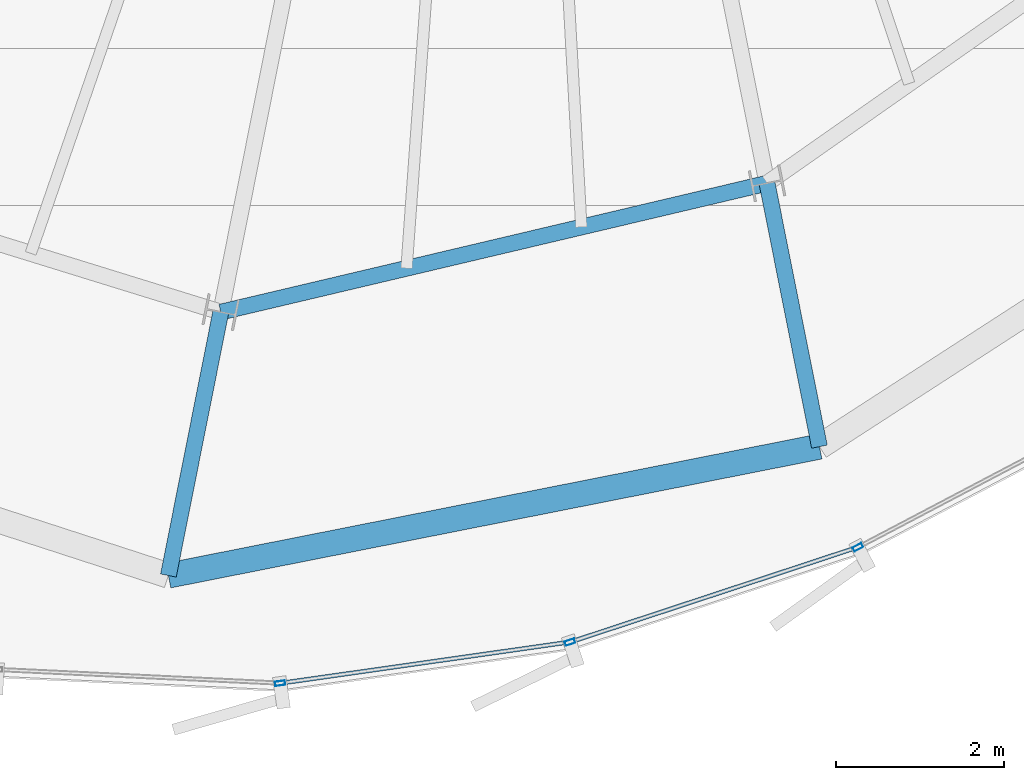
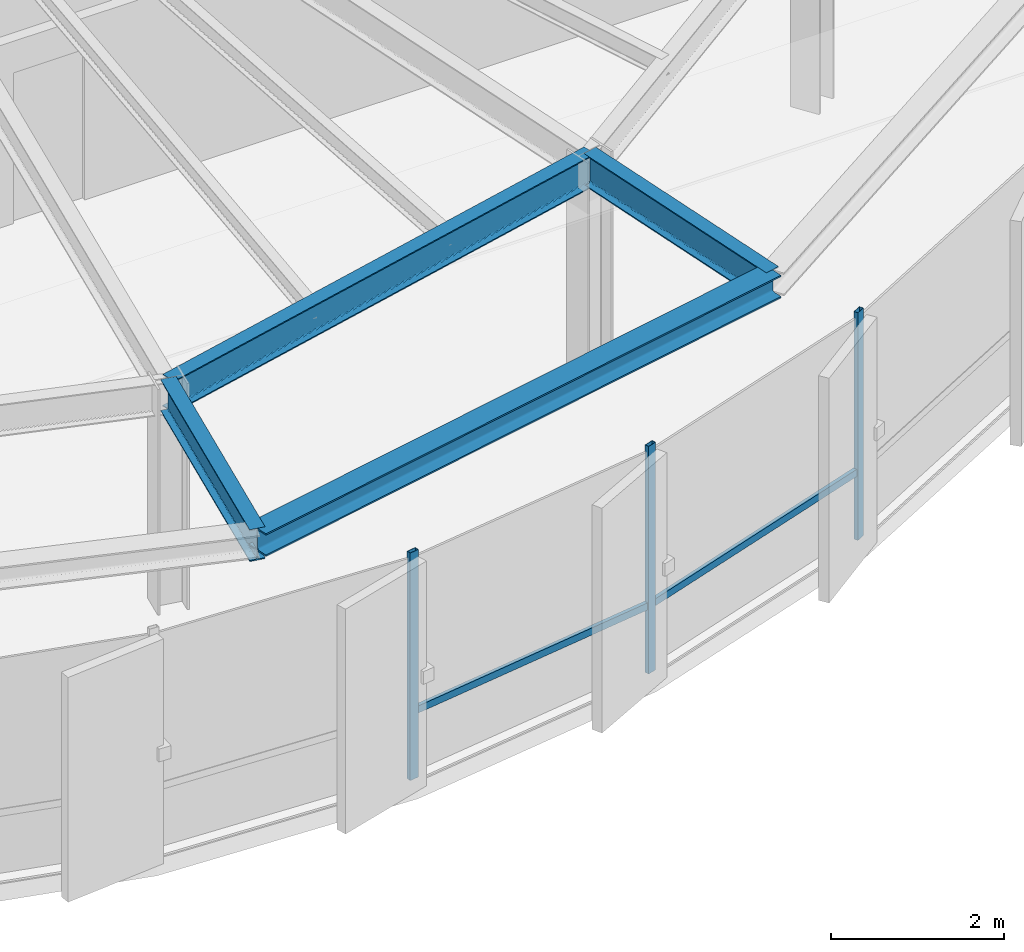
# One storey, part 6 of 33: 5 members, 4 beams, 1 element without a shape of its own.
"""IFC4 building model written with IfcOpenShell, lengths in metres."""

from ifc_helpers import new_model, si_unit, direction, frame, origin, origin_2d, place, context, subcontext, project, spatial, hollow_rectangle, i_section, extrude, source, transform, mapped, material, layer, layer_set, material_profile, profile_set, type_object, element, aggregate, save


model = new_model("IFC4")

# Units and contexts
model_context = context("Model", 3, precision=1e-05, world=origin(), true_north=direction((0.0, 1.0)))
body_context = subcontext(model_context, "Body", "Model", "MODEL_VIEW")
ifc_project = project(units=[si_unit("LENGTHUNIT", "METRE"), si_unit("AREAUNIT", "SQUARE_METRE"), si_unit("VOLUMEUNIT", "CUBIC_METRE"), si_unit("PLANEANGLEUNIT", "RADIAN"), si_unit("MASSUNIT", "GRAM", prefix="KILO"), si_unit("THERMODYNAMICTEMPERATUREUNIT", "KELVIN")], contexts=[model_context])

# Site, building, storey
site_placement = place(None, origin())
site = spatial("IfcSite", under=ifc_project, at=site_placement, CompositionType="ELEMENT")
building_placement = place(site_placement, origin())
building = spatial("IfcBuilding", under=site, at=building_placement, Name="Kethvar Cultural Tower", CompositionType="ELEMENT")
storey_placement = place(building_placement, frame((0.0, 0.0, 266.35009765625)))
storey = spatial("IfcBuildingStorey", under=building, at=storey_placement, Name="L70", CompositionType="ELEMENT", Elevation=266.35009765625)

# Beams
ifc_material_1 = material(Name="Steel S355J2", Category="steel")
ifc_material_profile_1 = material_profile(ifc_material_1, i_section(OverallWidth=0.18994140625, OverallDepth=0.449951171875, WebThickness=0.009521484375, FlangeThickness=0.0146484375, FilletRadius=0.02099609375, at=origin_2d()), Name="Steel S355J2 — IPE450")
ifc_profile_set_1 = profile_set([ifc_material_profile_1], Name="Steel S355J2 — IPE450")
beam_type_1 = type_object("IfcBeamType", Name="BM-IPE450", PredefinedType="BEAM", material=ifc_profile_set_1)
shared_shape_1 = source(origin(), body_context, "Body", "SweptSolid", [
    extrude(i_section(OverallWidth=0.18994140625, OverallDepth=0.449951171875, WebThickness=0.009521484375, FlangeThickness=0.0146484375, FilletRadius=0.02099609375, at=origin_2d()), origin(), (0.0, 0.0, 1.0), 3.199951171875),
])
beam_1_placement = place(storey_placement, frame((49.901611328125, 12.206787109375, 2.98291015625), z_axis=(0.195088965533, -0.980785550224, 0.0), x_axis=(0.980785550224, 0.195088965533, 0.0)))
element("IfcBeam", 1, at=beam_1_placement, inside=storey, type_object=beam_type_1, Name="L70 Perimeter Cantilever Beam RC-13", PredefinedType="BEAM", context=body_context, shape_type="MappedRepresentation", body=[
    mapped(shared_shape_1, transform((0.0, 0.0, 0.0), scale=1.0)),
])
shared_shape_2 = source(origin(), body_context, "Body", "SweptSolid", [
    extrude(i_section(OverallWidth=0.18994140625, OverallDepth=0.449951171875, WebThickness=0.009521484375, FlangeThickness=0.0146484375, FilletRadius=0.02099609375, at=origin_2d()), origin(), (0.0, 0.0, 1.0), 3.2001953125),
])
beam_2_placement = place(storey_placement, frame((43.392822265625, 10.67138671875, 2.98291015625), z_axis=(-0.195074368086, -0.980788453702, 0.0), x_axis=(0.980788453702, -0.195074368086, 0.0)))
element("IfcBeam", 2, at=beam_2_placement, inside=storey, type_object=beam_type_1, Name="L70 Perimeter Cantilever Beam RC-12", PredefinedType="BEAM", context=body_context, shape_type="MappedRepresentation", body=[
    mapped(shared_shape_2, transform((0.0, 0.0, 0.0), scale=1.0)),
])
shared_shape_3 = source(origin(), body_context, "Body", "SweptSolid", [
    extrude(i_section(OverallWidth=0.18994140625, OverallDepth=0.449951171875, WebThickness=0.009521484375, FlangeThickness=0.0146484375, FilletRadius=0.02099609375, at=origin_2d()), origin(), (0.0, 0.0, 1.0), 6.6875),
])
beam_3_placement = place(storey_placement, frame((43.392822265625, 10.67138671875, 2.98291015625), z_axis=(0.973286301494, 0.22959480683, 0.0), x_axis=(-0.22959480683, 0.973286301494, 0.0)))
element("IfcBeam", 3, at=beam_3_placement, inside=storey, type_object=beam_type_1, Name="L70 Column Ring Tie Beam CR-12", PredefinedType="BEAM", context=body_context, shape_type="MappedRepresentation", body=[
    mapped(shared_shape_3, transform((0.0, 0.0, 0.0), scale=1.0)),
])
ifc_material_profile_2 = material_profile(ifc_material_1, i_section(OverallWidth=0.300048828125, OverallDepth=0.320068359375, WebThickness=0.011474609375, FlangeThickness=0.0205078125, FilletRadius=0.027099609375, at=origin_2d()), Name="Steel S355J2 — HEB320")
ifc_profile_set_2 = profile_set([ifc_material_profile_2], Name="Steel S355J2 — HEB320")
beam_type_2 = type_object("IfcBeamType", Name="BM-SP320", PredefinedType="SPANDREL", material=ifc_profile_set_2)
shared_shape_4 = source(origin(), body_context, "Body", "SweptSolid", [
    extrude(i_section(OverallWidth=0.300048828125, OverallDepth=0.320068359375, WebThickness=0.011474609375, FlangeThickness=0.0205078125, FilletRadius=0.027099609375, at=origin_2d()), origin(), (0.0, 0.0, 1.0), 7.907958984375),
])
beam_4_placement = place(storey_placement, frame((42.7685546875, 7.53271484375, 3.0478515625), z_axis=(0.980963515828, 0.194192122948, 0.0), x_axis=(-0.194192122948, 0.980963515828, 0.0)))
element("IfcBeam", 4, at=beam_4_placement, inside=storey, type_object=beam_type_2, Name="L70 Perimeter Spandrel Beam SP-12", PredefinedType="SPANDREL", context=body_context, shape_type="MappedRepresentation", body=[
    mapped(shared_shape_4, transform((0.0, 0.0, 0.0), scale=1.0)),
])

# Curtain wall, members
ifc_material_2 = material(Name="Aluminium 6063-T6", Category="aluminium")
ifc_layer = layer(ifc_material_2, 0.179931640625, Name="Aluminium 6063-T6", Category="aluminium")
ifc_layer_set = layer_set([ifc_layer], Name="Aluminium 6063-T6 (180 mm)")
curtain_wall_type = type_object("IfcCurtainWallType", Name="CW-SYS-05-Z56", PredefinedType="NOTDEFINED", material=ifc_layer_set)
curtain_wall_placement = place(storey_placement, origin())
curtain_wall = element("IfcCurtainWall", 5, at=curtain_wall_placement, inside=storey, type_object=curtain_wall_type, Name="L70 Curtain Wall Run 04", PredefinedType="NOTDEFINED")
ifc_material_profile_3 = material_profile(ifc_material_2, hollow_rectangle(XDim=0.054931640625, YDim=0.1201171875, WallThickness=0.00390625, at=origin_2d()), Name="Aluminium 6063-T6 — RHS120x55x4")
ifc_profile_set_3 = profile_set([ifc_material_profile_3], Name="Aluminium 6063-T6 — RHS120x55x4")
member_type_1 = type_object("IfcMemberType", Name="CW-SYS-05-Z56-MUL", PredefinedType="MULLION", material=ifc_profile_set_3)
shared_shape_5 = source(origin(), body_context, "Body", "SweptSolid", [
    extrude(hollow_rectangle(XDim=0.054931640625, YDim=0.1201171875, WallThickness=0.00390625, at=origin_2d()), origin(), (0.0, 0.0, 1.0), 3.2099609375),
])
member_1_placement = place(storey_placement, frame((44.10009765625, 6.2490234375, 0.0), z_axis=(0.0, 0.0, 1.0), x_axis=(-0.140935790197, 0.990018738733, 0.0)))
member_1 = element("IfcMember", 6, at=member_1_placement, type_object=member_type_1, Name="CW-L70-R04 Mullion 4", PredefinedType="MULLION", context=body_context, shape_type="MappedRepresentation", body=[
    mapped(shared_shape_5, transform((0.0, 0.0, 0.0), scale=1.0)),
])
member_2_placement = place(storey_placement, frame((47.552978515625, 6.739013671875, 0.0), z_axis=(0.0, 0.0, 1.0), x_axis=(-0.313263257026, 0.949666326558, 0.0)))
member_2 = element("IfcMember", 7, at=member_2_placement, type_object=member_type_1, Name="CW-L70-R04 Mullion 5", PredefinedType="MULLION", context=body_context, shape_type="MappedRepresentation", body=[
    mapped(shared_shape_5, transform((0.0, 0.0, 0.0), scale=1.0)),
])
member_3_placement = place(storey_placement, frame((50.98388671875, 7.869384765625, 0.0), z_axis=(0.0, 0.0, 1.0), x_axis=(-0.465521842084, 0.885036391649, 0.0)))
member_3 = element("IfcMember", 8, at=member_3_placement, type_object=member_type_1, Name="CW-L70-R04 Mullion 6", PredefinedType="MULLION", context=body_context, shape_type="MappedRepresentation", body=[
    mapped(shared_shape_5, transform((0.0, 0.0, 0.0), scale=1.0)),
])
ifc_material_profile_4 = material_profile(ifc_material_2, hollow_rectangle(XDim=0.050048828125, YDim=0.10009765625, WallThickness=0.00390625, at=origin_2d()), Name="Aluminium 6063-T6 — RHS100x50x4")
ifc_profile_set_4 = profile_set([ifc_material_profile_4], Name="Aluminium 6063-T6 — RHS100x50x4")
member_type_2 = type_object("IfcMemberType", Name="CW-SYS-05-Z56-TRN", PredefinedType="USERDEFINED", material=ifc_profile_set_4)
shared_shape_6 = source(origin(), body_context, "Body", "SweptSolid", [
    extrude(hollow_rectangle(XDim=0.050048828125, YDim=0.10009765625, WallThickness=0.00390625, at=origin_2d()), origin(), (0.0, 0.0, 1.0), 3.5498046875),
])
member_4_placement = place(storey_placement, frame((47.590576171875, 6.75146484375, 0.949951171875), z_axis=(0.949662209979, 0.313275736273, 0.0), x_axis=(-0.313275736273, 0.949662209979, 0.0)))
member_4 = element("IfcMember", 9, at=member_4_placement, type_object=member_type_2, Name="CW-L70-R04 Transom 5", ObjectType="TRANSOM", PredefinedType="USERDEFINED", context=body_context, shape_type="MappedRepresentation", body=[
    mapped(shared_shape_6, transform((0.0, 0.0, 0.0), scale=1.0)),
])
shared_shape_7 = source(origin(), body_context, "Body", "SweptSolid", [
    extrude(hollow_rectangle(XDim=0.050048828125, YDim=0.10009765625, WallThickness=0.00390625, at=origin_2d()), origin(), (0.0, 0.0, 1.0), 3.426025390625),
])
member_5_placement = place(storey_placement, frame((44.13916015625, 6.254638671875, 0.949951171875), z_axis=(0.990016367096, 0.140952449011, 0.0), x_axis=(-0.140952449011, 0.990016367096, 0.0)))
member_5 = element("IfcMember", 10, at=member_5_placement, type_object=member_type_2, Name="CW-L70-R04 Transom 4", ObjectType="TRANSOM", PredefinedType="USERDEFINED", context=body_context, shape_type="MappedRepresentation", body=[
    mapped(shared_shape_7, transform((0.0, 0.0, 0.0), scale=1.0)),
])
aggregate(curtain_wall, [member_1, member_2, member_3, member_5, member_4])

save(model, "model.ifc")
